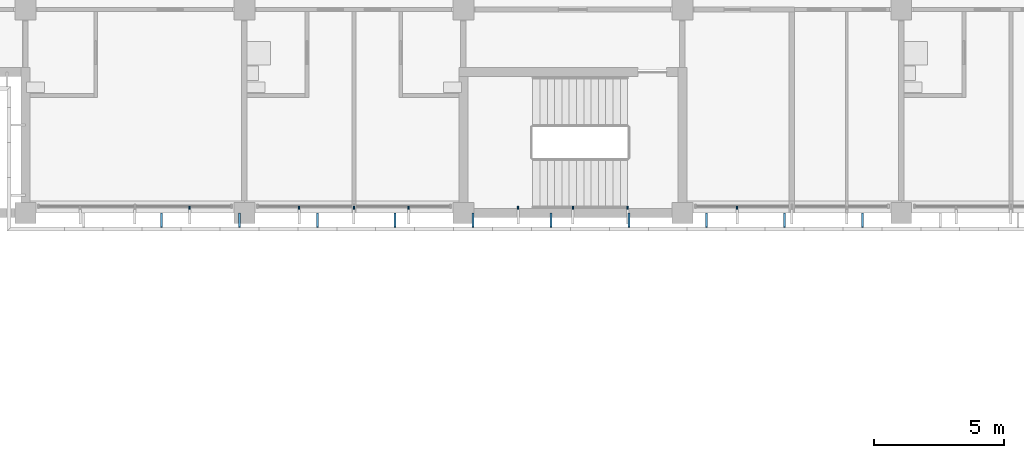
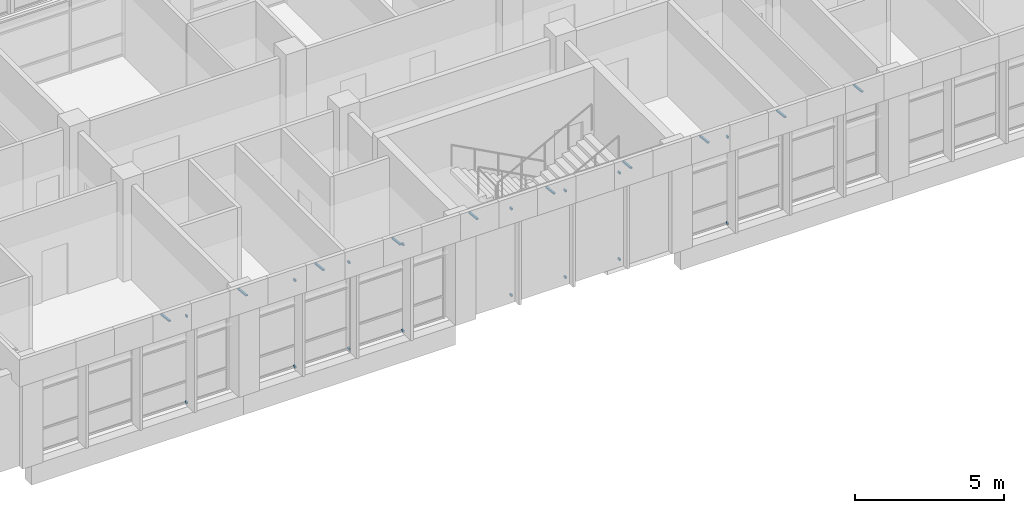
# One storey, part 103 of 137: 26 discrete accessories.
"""IFC4 building model written with IfcOpenShell, lengths in metres."""

from ifc_helpers import new_model, si_unit, direction, frame, origin, origin_2d, place, context, subcontext, project, spatial, rectangle, extrude, material, material_profile, profile_set, type_object, element, save


model = new_model("IFC4")

# Units and contexts
model_context = context("Model", 3, precision=1e-05, world=origin(), true_north=direction((0.0, 1.0)))
body_context = subcontext(model_context, "Body", "Model", "MODEL_VIEW")
ifc_project = project(units=[si_unit("LENGTHUNIT", "METRE"), si_unit("AREAUNIT", "SQUARE_METRE"), si_unit("VOLUMEUNIT", "CUBIC_METRE"), si_unit("PLANEANGLEUNIT", "RADIAN"), si_unit("MASSUNIT", "GRAM", prefix="KILO")], contexts=[model_context])

# Site, building, storey
site_placement = place(None, origin())
site = spatial("IfcSite", under=ifc_project, at=site_placement, CompositionType="ELEMENT")
building_placement = place(site_placement, origin())
building = spatial("IfcBuilding", under=site, at=building_placement, Name="Bougainvillea Quay General Hospital", CompositionType="ELEMENT")
storey_placement = place(building_placement, frame((0.0, 0.0, 16.800048828125)))
storey = spatial("IfcBuildingStorey", under=building, at=storey_placement, Name="L03", CompositionType="ELEMENT", Elevation=16.800048828125)

# Discrete accessories
ifc_material = material(Name="Stainless steel bracket, grade 316", Category="steel")
discrete_accessory_type_1 = type_object("IfcDiscreteAccessoryType", Name="Stainless steel fin arm 60x80", PredefinedType="BRACKET", material=ifc_material)
for number, where, z_axis, x_axis, name in (
    (1, (128.10009765625, 117.7900390625, 0.0), (0.0, 0.0, 1.0), (0.0, -1.0, 0.0), "Fin arm V5B L03 14.15B"),
    (2, (128.10009765625, 117.7900390625, 3.5498046875), (0.0, 0.0, 1.0), (0.0, -1.0, 0.0), "Fin arm V5B L03 14.15T"),
    (3, (123.89990234375, 117.7900390625, 0.0), (0.0, 0.0, 1.0), (0.0, -1.0, 0.0), "Fin arm V5B L03 14.16B"),
    (4, (123.89990234375, 117.7900390625, 3.5498046875), (0.0, 0.0, 1.0), (0.0, -1.0, 0.0), "Fin arm V5B L03 14.16T"),
    (5, (121.800048828125, 117.7900390625, 0.0), (0.0, 0.0, 1.0), (0.0, -1.0, 0.0), "Fin arm V5B L03 14.17B"),
    (6, (121.800048828125, 117.7900390625, 3.5498046875), (0.0, 0.0, 1.0), (0.0, -1.0, 0.0), "Fin arm V5B L03 14.17T"),
    (7, (119.699951171875, 117.7900390625, 0.0), (0.0, 0.0, 1.0), (0.0, -1.0, 0.0), "Fin arm V5B L03 14.18B"),
    (8, (119.699951171875, 117.7900390625, 3.5498046875), (0.0, 0.0, 1.0), (0.0, -1.0, 0.0), "Fin arm V5B L03 14.18T"),
    (9, (115.5, 117.7900390625, 0.0), (0.0, 0.0, 1.0), (0.0, -1.0, 0.0), "Fin arm V5B L03 14.19B"),
    (10, (115.5, 117.7900390625, 3.5498046875), (0.0, 0.0, 1.0), (0.0, -1.0, 0.0), "Fin arm V5B L03 14.19T"),
    (11, (113.39990234375, 117.7900390625, 0.0), (0.0, 0.0, 1.0), (0.0, -1.0, 0.0), "Fin arm V5B L03 14.20B"),
    (12, (113.39990234375, 117.7900390625, 3.5498046875), (0.0, 0.0, 1.0), (0.0, -1.0, 0.0), "Fin arm V5B L03 14.20T"),
    (13, (111.300048828125, 117.7900390625, 0.0), (0.0, 0.0, 1.0), (0.0, -1.0, 0.0), "Fin arm V5B L03 14.21B"),
    (14, (111.300048828125, 117.7900390625, 3.5498046875), (0.0, 0.0, 1.0), (0.0, -1.0, 0.0), "Fin arm V5B L03 14.21T"),
    (15, (107.10009765625, 117.7900390625, 0.0), (0.0, 0.0, 1.0), (0.0, -1.0, 0.0), "Fin arm V5B L03 14.22B"),
    (16, (107.10009765625, 117.7900390625, 3.5498046875), (0.0, 0.0, 1.0), (0.0, -1.0, 0.0), "Fin arm V5B L03 14.22T"),
):
    element("IfcDiscreteAccessory", number, at=place(storey_placement, frame(where, z_axis=z_axis, x_axis=x_axis)), inside=storey, type_object=discrete_accessory_type_1, Name=name, PredefinedType="BRACKET", context=body_context, shape_type="SweptSolid", body=[
        extrude(rectangle(XDim=0.1201171875, YDim=0.06005859375, at=origin_2d()), origin(), (0.0, 0.0, 1.0), 0.080078125),
    ])
ifc_material_profile = material_profile(ifc_material, rectangle(XDim=0.080078125, YDim=0.050048828125, at=origin_2d()))
ifc_profile_set = profile_set([ifc_material_profile], Name="Stainless steel bracket, grade 316")
discrete_accessory_type_2 = type_object("IfcDiscreteAccessoryType", Name="Stainless steel stand-off bracket 80x50", PredefinedType="BRACKET", material=ifc_profile_set)
for number, where, z_axis, x_axis, name in (
    (17, (106.026611328125, 117.60009765625, 4.139892578125), (0.0, -0.994091793559, 0.108542645901), (1.0, 0.0, 0.0), "Fascia bracket e1 29"),
    (18, (109.013427734375, 117.60009765625, 4.139892578125), (0.0, -0.994091793559, 0.108542645901), (1.0, 0.0, 0.0), "Fascia bracket e1 31"),
    (19, (112.0, 117.60009765625, 4.139892578125), (0.0, -0.994091793559, 0.108542645901), (1.0, 0.0, 0.0), "Fascia bracket e1 33"),
    (20, (114.986572265625, 117.60009765625, 4.139892578125), (0.0, -0.994091793559, 0.108542645901), (1.0, 0.0, 0.0), "Fascia bracket e1 35"),
    (21, (117.973388671875, 117.60009765625, 4.139892578125), (0.0, -0.994091793559, 0.108542645901), (1.0, 0.0, 0.0), "Fascia bracket e1 37"),
    (22, (120.9599609375, 117.60009765625, 4.139892578125), (0.0, -0.994091793559, 0.108542645901), (1.0, 0.0, 0.0), "Fascia bracket e1 39"),
    (23, (123.94677734375, 117.60009765625, 4.139892578125), (0.0, -0.994091793559, 0.108542645901), (1.0, 0.0, 0.0), "Fascia bracket e1 41"),
    (24, (126.933349609375, 117.60009765625, 4.139892578125), (0.0, -0.994091793559, 0.108542645901), (1.0, 0.0, 0.0), "Fascia bracket e1 43"),
    (25, (129.919921875, 117.60009765625, 4.139892578125), (0.0, -0.994091793559, 0.108542645901), (1.0, 0.0, 0.0), "Fascia bracket e1 45"),
    (26, (132.90673828125, 117.60009765625, 4.139892578125), (0.0, -0.994091793559, 0.108542645901), (1.0, 0.0, 0.0), "Fascia bracket e1 47"),
):
    element("IfcDiscreteAccessory", number, at=place(storey_placement, frame(where, z_axis=z_axis, x_axis=x_axis)), inside=storey, type_object=discrete_accessory_type_2, Name=name, PredefinedType="BRACKET", context=body_context, shape_type="SweptSolid", body=[
        extrude(rectangle(XDim=0.080078125, YDim=0.050048828125, at=origin_2d()), origin(), (0.0, 0.0, 1.0), 0.55322265625),
    ])

save(model, "model.ifc")
